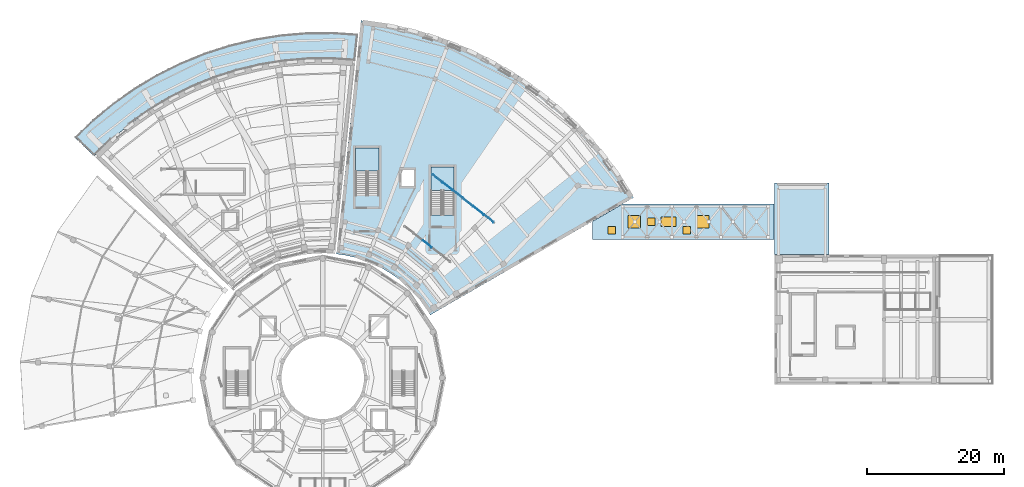
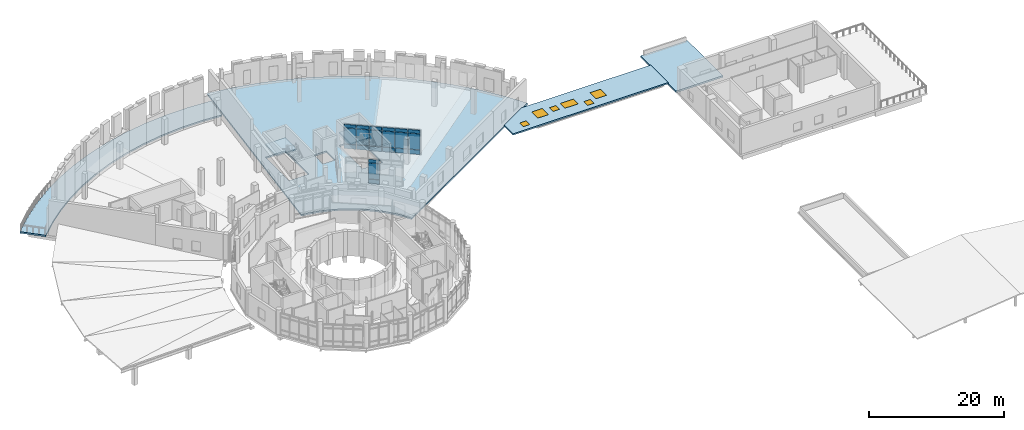
# One storey, part 26 of 49: 21 plates, 6 slabs, 3 doors, 3 windows, 6 openings, 4 elements without a shape of their own.
"""IFC4 building model written with IfcOpenShell, lengths in metres."""

from ifc_helpers import new_model, si_unit, direction, frame, origin, origin_2d, place, context, subcontext, project, spatial, polyline, rectangle, outline, extrude, material, layer, layer_set, type_object, element, fill, aggregate, save


model = new_model("IFC4")

# Units and contexts
model_context = context("Model", 3, precision=1e-05, world=origin(), true_north=direction((0.0, 1.0)))
body_context = subcontext(model_context, "Body", "Model", "MODEL_VIEW")
ifc_project = project(units=[si_unit("LENGTHUNIT", "METRE"), si_unit("AREAUNIT", "SQUARE_METRE"), si_unit("VOLUMEUNIT", "CUBIC_METRE"), si_unit("PLANEANGLEUNIT", "RADIAN"), si_unit("MASSUNIT", "GRAM", prefix="KILO")], contexts=[model_context])

# Site, building, storey
site_placement = place(None, origin())
site = spatial("IfcSite", under=ifc_project, at=site_placement, CompositionType="ELEMENT")
building_placement = place(site_placement, origin())
building = spatial("IfcBuilding", under=site, at=building_placement, Name="Soyqirgoq Riverine Aquarium", CompositionType="ELEMENT")
storey_placement = place(building_placement, frame((0.0, 0.0, 15.0)))
storey = spatial("IfcBuildingStorey", under=building, at=storey_placement, Name="L04", CompositionType="ELEMENT", Elevation=15.0)

# Curtain wall, plates
ifc_material_1 = material(Name="Cast polymethyl methacrylate PMMA Habitat Viewing Glazing", Category="glass")
curtain_wall_type = type_object("IfcCurtainWallType", Name="CW_Interior_TankVitrine", PredefinedType="NOTDEFINED", material=ifc_material_1)
curtain_wall_1_placement = place(storey_placement, origin())
curtain_wall_1 = element("IfcCurtainWall", 1, at=curtain_wall_1_placement, inside=storey, type_object=curtain_wall_type, Name="V5 L04 Curtain Wall 163", PredefinedType="NOTDEFINED")
ifc_material_2 = material(Name="Cast polymethyl methacrylate PMMA", Category="glass")
ifc_layer_1 = layer(ifc_material_2, 0.1201171875)
ifc_layer_set_1 = layer_set([ifc_layer_1], Name="Cast polymethyl methacrylate PMMA")
plate_type = type_object("IfcPlateType", Name="CWAcrylicPanel_120", PredefinedType="CURTAIN_PANEL", material=ifc_layer_set_1)
plate_1_placement = place(storey_placement, frame((71.279052734375, 76.55615234375, 0.074951171875), z_axis=(0.0, 0.0, 1.0), x_axis=(-0.788011077449, 0.615661060826, 0.0)))
plate_1 = element("IfcPlate", 2, at=plate_1_placement, type_object=plate_type, Name="CW-07 panel 3.1", PredefinedType="CURTAIN_PANEL", context=body_context, shape_type="SweptSolid", body=[
    extrude(rectangle(XDim=1.63037109375, YDim=0.1201171875, at=origin_2d()), origin(), (0.0, 0.0, 1.0), 0.78759765625),
])
plate_2_placement = place(storey_placement, frame((71.279052734375, 76.55615234375, 0.9375), z_axis=(0.0, 0.0, 1.0), x_axis=(-0.788011077449, 0.615661060826, 0.0)))
plate_2 = element("IfcPlate", 3, at=plate_2_placement, type_object=plate_type, Name="CW-07 panel 3.2", PredefinedType="CURTAIN_PANEL", context=body_context, shape_type="SweptSolid", body=[
    extrude(rectangle(XDim=1.63037109375, YDim=0.1201171875, at=origin_2d()), origin(), (0.0, 0.0, 1.0), 2.844970703125),
])
plate_3_placement = place(storey_placement, frame((71.279052734375, 76.55615234375, 3.857666015625), z_axis=(0.0, 0.0, 1.0), x_axis=(-0.788011077449, 0.615661060826, 0.0)))
plate_3 = element("IfcPlate", 4, at=plate_3_placement, type_object=plate_type, Name="CW-07 panel 3.3", PredefinedType="CURTAIN_PANEL", context=body_context, shape_type="SweptSolid", body=[
    extrude(rectangle(XDim=1.63037109375, YDim=0.1201171875, at=origin_2d()), origin(), (0.0, 0.0, 1.0), 0.58740234375),
])
aggregate(curtain_wall_1, [plate_1, plate_2, plate_3])

curtain_wall_2_placement = place(storey_placement, origin())
curtain_wall_2 = element("IfcCurtainWall", 5, at=curtain_wall_2_placement, inside=storey, type_object=curtain_wall_type, Name="V5 L04 Curtain Wall 164", PredefinedType="NOTDEFINED")
plate_4_placement = place(storey_placement, frame((80.26611328125, 80.282470703125, 0.074951171875), z_axis=(0.0, 0.0, 1.0), x_axis=(-0.788015701833, 0.615655141832, 0.0)))
plate_4 = element("IfcPlate", 6, at=plate_4_placement, type_object=plate_type, Name="CW-07 panel 1.1", PredefinedType="CURTAIN_PANEL", context=body_context, shape_type="SweptSolid", body=[
    extrude(rectangle(XDim=1.802978515625, YDim=0.1201171875, at=origin_2d()), origin(), (0.0, 0.0, 1.0), 0.78759765625),
])
plate_5_placement = place(storey_placement, frame((80.26611328125, 80.282470703125, 0.9375), z_axis=(0.0, 0.0, 1.0), x_axis=(-0.788015701833, 0.615655141832, 0.0)))
plate_5 = element("IfcPlate", 7, at=plate_5_placement, type_object=plate_type, Name="CW-07 panel 1.2", PredefinedType="CURTAIN_PANEL", context=body_context, shape_type="SweptSolid", body=[
    extrude(rectangle(XDim=1.802978515625, YDim=0.1201171875, at=origin_2d()), origin(), (0.0, 0.0, 1.0), 2.844970703125),
])
plate_6_placement = place(storey_placement, frame((80.26611328125, 80.282470703125, 3.857666015625), z_axis=(0.0, 0.0, 1.0), x_axis=(-0.788015701833, 0.615655141832, 0.0)))
plate_6 = element("IfcPlate", 8, at=plate_6_placement, type_object=plate_type, Name="CW-07 panel 1.3", PredefinedType="CURTAIN_PANEL", context=body_context, shape_type="SweptSolid", body=[
    extrude(rectangle(XDim=1.802978515625, YDim=0.1201171875, at=origin_2d()), origin(), (0.0, 0.0, 1.0), 0.58740234375),
])
plate_7_placement = place(storey_placement, frame((78.766357421875, 81.4541015625, 0.074951171875), z_axis=(0.0, 0.0, 1.0), x_axis=(-0.788015701833, 0.615655141832, 0.0)))
plate_7 = element("IfcPlate", 9, at=plate_7_placement, type_object=plate_type, Name="CW-07 panel 2.1", PredefinedType="CURTAIN_PANEL", context=body_context, shape_type="SweptSolid", body=[
    extrude(rectangle(XDim=1.843017578125, YDim=0.1201171875, at=origin_2d()), origin(), (0.0, 0.0, 1.0), 0.78759765625),
])
plate_8_placement = place(storey_placement, frame((78.766357421875, 81.4541015625, 0.9375), z_axis=(0.0, 0.0, 1.0), x_axis=(-0.788015701833, 0.615655141832, 0.0)))
plate_8 = element("IfcPlate", 10, at=plate_8_placement, type_object=plate_type, Name="CW-07 panel 2.2", PredefinedType="CURTAIN_PANEL", context=body_context, shape_type="SweptSolid", body=[
    extrude(rectangle(XDim=1.843017578125, YDim=0.1201171875, at=origin_2d()), origin(), (0.0, 0.0, 1.0), 2.844970703125),
])
plate_9_placement = place(storey_placement, frame((78.766357421875, 81.4541015625, 3.857666015625), z_axis=(0.0, 0.0, 1.0), x_axis=(-0.788015701833, 0.615655141832, 0.0)))
plate_9 = element("IfcPlate", 11, at=plate_9_placement, type_object=plate_type, Name="CW-07 panel 2.3", PredefinedType="CURTAIN_PANEL", context=body_context, shape_type="SweptSolid", body=[
    extrude(rectangle(XDim=1.843017578125, YDim=0.1201171875, at=origin_2d()), origin(), (0.0, 0.0, 1.0), 0.58740234375),
])
plate_10_placement = place(storey_placement, frame((77.2509765625, 82.63818359375, 0.074951171875), z_axis=(0.0, 0.0, 1.0), x_axis=(-0.788015701833, 0.615655141832, 0.0)))
plate_10 = element("IfcPlate", 12, at=plate_10_placement, type_object=plate_type, Name="CW-07 panel 3.1", PredefinedType="CURTAIN_PANEL", context=body_context, shape_type="SweptSolid", body=[
    extrude(rectangle(XDim=1.843017578125, YDim=0.1201171875, at=origin_2d()), origin(), (0.0, 0.0, 1.0), 0.78759765625),
])
plate_11_placement = place(storey_placement, frame((77.2509765625, 82.63818359375, 0.9375), z_axis=(0.0, 0.0, 1.0), x_axis=(-0.788015701833, 0.615655141832, 0.0)))
plate_11 = element("IfcPlate", 13, at=plate_11_placement, type_object=plate_type, Name="CW-07 panel 3.2", PredefinedType="CURTAIN_PANEL", context=body_context, shape_type="SweptSolid", body=[
    extrude(rectangle(XDim=1.843017578125, YDim=0.1201171875, at=origin_2d()), origin(), (0.0, 0.0, 1.0), 2.844970703125),
])
plate_12_placement = place(storey_placement, frame((77.2509765625, 82.63818359375, 3.857666015625), z_axis=(0.0, 0.0, 1.0), x_axis=(-0.788015701833, 0.615655141832, 0.0)))
plate_12 = element("IfcPlate", 14, at=plate_12_placement, type_object=plate_type, Name="CW-07 panel 3.3", PredefinedType="CURTAIN_PANEL", context=body_context, shape_type="SweptSolid", body=[
    extrude(rectangle(XDim=1.843017578125, YDim=0.1201171875, at=origin_2d()), origin(), (0.0, 0.0, 1.0), 0.58740234375),
])
plate_13_placement = place(storey_placement, frame((75.735595703125, 83.822021484375, 0.074951171875), z_axis=(0.0, 0.0, 1.0), x_axis=(-0.788015701833, 0.615655141832, 0.0)))
plate_13 = element("IfcPlate", 15, at=plate_13_placement, type_object=plate_type, Name="CW-07 panel 4.1", PredefinedType="CURTAIN_PANEL", context=body_context, shape_type="SweptSolid", body=[
    extrude(rectangle(XDim=1.843017578125, YDim=0.1201171875, at=origin_2d()), origin(), (0.0, 0.0, 1.0), 0.78759765625),
])
plate_14_placement = place(storey_placement, frame((75.735595703125, 83.822021484375, 0.9375), z_axis=(0.0, 0.0, 1.0), x_axis=(-0.788015701833, 0.615655141832, 0.0)))
plate_14 = element("IfcPlate", 16, at=plate_14_placement, type_object=plate_type, Name="CW-07 panel 4.2", PredefinedType="CURTAIN_PANEL", context=body_context, shape_type="SweptSolid", body=[
    extrude(rectangle(XDim=1.843017578125, YDim=0.1201171875, at=origin_2d()), origin(), (0.0, 0.0, 1.0), 2.844970703125),
])
plate_15_placement = place(storey_placement, frame((75.735595703125, 83.822021484375, 3.857666015625), z_axis=(0.0, 0.0, 1.0), x_axis=(-0.788015701833, 0.615655141832, 0.0)))
plate_15 = element("IfcPlate", 17, at=plate_15_placement, type_object=plate_type, Name="CW-07 panel 4.3", PredefinedType="CURTAIN_PANEL", context=body_context, shape_type="SweptSolid", body=[
    extrude(rectangle(XDim=1.843017578125, YDim=0.1201171875, at=origin_2d()), origin(), (0.0, 0.0, 1.0), 0.58740234375),
])
plate_16_placement = place(storey_placement, frame((74.219970703125, 85.006103515625, 0.074951171875), z_axis=(0.0, 0.0, 1.0), x_axis=(-0.788015701833, 0.615655141832, 0.0)))
plate_16 = element("IfcPlate", 18, at=plate_16_placement, type_object=plate_type, Name="CW-07 panel 5.1", PredefinedType="CURTAIN_PANEL", context=body_context, shape_type="SweptSolid", body=[
    extrude(rectangle(XDim=1.843017578125, YDim=0.1201171875, at=origin_2d()), origin(), (0.0, 0.0, 1.0), 0.78759765625),
])
plate_17_placement = place(storey_placement, frame((74.219970703125, 85.006103515625, 0.9375), z_axis=(0.0, 0.0, 1.0), x_axis=(-0.788015701833, 0.615655141832, 0.0)))
plate_17 = element("IfcPlate", 19, at=plate_17_placement, type_object=plate_type, Name="CW-07 panel 5.2", PredefinedType="CURTAIN_PANEL", context=body_context, shape_type="SweptSolid", body=[
    extrude(rectangle(XDim=1.843017578125, YDim=0.1201171875, at=origin_2d()), origin(), (0.0, 0.0, 1.0), 2.844970703125),
])
plate_18_placement = place(storey_placement, frame((74.219970703125, 85.006103515625, 3.857666015625), z_axis=(0.0, 0.0, 1.0), x_axis=(-0.788015701833, 0.615655141832, 0.0)))
plate_18 = element("IfcPlate", 20, at=plate_18_placement, type_object=plate_type, Name="CW-07 panel 5.3", PredefinedType="CURTAIN_PANEL", context=body_context, shape_type="SweptSolid", body=[
    extrude(rectangle(XDim=1.843017578125, YDim=0.1201171875, at=origin_2d()), origin(), (0.0, 0.0, 1.0), 0.58740234375),
])
plate_19_placement = place(storey_placement, frame((72.720458984375, 86.177734375, 0.074951171875), z_axis=(0.0, 0.0, 1.0), x_axis=(-0.788015701833, 0.615655141832, 0.0)))
plate_19 = element("IfcPlate", 21, at=plate_19_placement, type_object=plate_type, Name="CW-07 panel 6.1", PredefinedType="CURTAIN_PANEL", context=body_context, shape_type="SweptSolid", body=[
    extrude(rectangle(XDim=1.802978515625, YDim=0.1201171875, at=origin_2d()), origin(), (0.0, 0.0, 1.0), 0.78759765625),
])
plate_20_placement = place(storey_placement, frame((72.720458984375, 86.177734375, 0.9375), z_axis=(0.0, 0.0, 1.0), x_axis=(-0.788015701833, 0.615655141832, 0.0)))
plate_20 = element("IfcPlate", 22, at=plate_20_placement, type_object=plate_type, Name="CW-07 panel 6.2", PredefinedType="CURTAIN_PANEL", context=body_context, shape_type="SweptSolid", body=[
    extrude(rectangle(XDim=1.802978515625, YDim=0.1201171875, at=origin_2d()), origin(), (0.0, 0.0, 1.0), 2.844970703125),
])
plate_21_placement = place(storey_placement, frame((72.720458984375, 86.177734375, 3.857666015625), z_axis=(0.0, 0.0, 1.0), x_axis=(-0.788015701833, 0.615655141832, 0.0)))
plate_21 = element("IfcPlate", 23, at=plate_21_placement, type_object=plate_type, Name="CW-07 panel 6.3", PredefinedType="CURTAIN_PANEL", context=body_context, shape_type="SweptSolid", body=[
    extrude(rectangle(XDim=1.802978515625, YDim=0.1201171875, at=origin_2d()), origin(), (0.0, 0.0, 1.0), 0.58740234375),
])
aggregate(curtain_wall_2, [plate_4, plate_5, plate_6, plate_7, plate_8, plate_9, plate_10, plate_11, plate_12, plate_13, plate_14, plate_15, plate_16, plate_17, plate_18, plate_19, plate_20, plate_21])

# Stair, slab
ifc_material_3 = material(Name="Concrete C35/45", Category="concrete")
stair_type = type_object("IfcStairType", Name="CoreDoglegStair_RC", PredefinedType="HALF_TURN_STAIR", material=ifc_material_3)
stair_1_placement = place(storey_placement, origin())
stair_1 = element("IfcStair", 24, at=stair_1_placement, inside=storey, type_object=stair_type, Name="L04 Enclosed Exit Stair ST-5", PredefinedType="HALF_TURN_STAIR")
ifc_material_4 = material(Name="Concrete C35/45", Category="concrete")
ifc_layer_2 = layer(ifc_material_4, 0.199951171875)
ifc_layer_set_2 = layer_set([ifc_layer_2], Name="Concrete C35/45")
slab_type_1 = type_object("IfcSlabType", Name="CoreStairLanding_RC", PredefinedType="LANDING", material=ifc_layer_set_2)
slab_1_placement = place(storey_placement, frame((0.0, 0.0, 2.199951171875)))
slab_1 = element("IfcSlab", 25, at=slab_1_placement, type_object=slab_type_1, Name="ST-5 landing 1", PredefinedType="LANDING", context=body_context, shape_type="SweptSolid", body=[
    extrude(outline(polyline([(64.199951171875, 87.199951171875), (64.199951171875, 90.60009765625), (60.800048828125, 90.60009765625), (60.800048828125, 87.199951171875), (64.199951171875, 87.199951171875)])), origin(), (0.0, 0.0, 1.0), 0.199951171875),
])
aggregate(stair_1, [slab_1])

stair_2_placement = place(storey_placement, origin())
stair_2 = element("IfcStair", 26, at=stair_2_placement, inside=storey, type_object=stair_type, Name="L04 Enclosed Exit Stair ST-6", PredefinedType="HALF_TURN_STAIR")
slab_2_placement = place(storey_placement, frame((0.0, 0.0, 2.199951171875)))
slab_2 = element("IfcSlab", 27, at=slab_2_placement, type_object=slab_type_1, Name="ST-6 landing 1", PredefinedType="LANDING", context=body_context, shape_type="SweptSolid", body=[
    extrude(outline(polyline([(75.199951171875, 84.39990234375), (75.199951171875, 87.800048828125), (71.800048828125, 87.800048828125), (71.800048828125, 84.39990234375), (75.199951171875, 84.39990234375)])), origin(), (0.0, 0.0, 1.0), 0.199951171875),
])
aggregate(stair_2, [slab_2])

# Slab
ifc_material_5 = material(Name="Concrete C35/45", Category="concrete")
ifc_layer_3 = layer(ifc_material_5, 0.280029296875)
ifc_layer_set_3 = layer_set([ifc_layer_3], Name="Concrete C35/45")
slab_type_2 = type_object("IfcSlabType", Name="FloorSlab_280_C35", PredefinedType="FLOOR", material=ifc_layer_set_3)
slab_3_placement = place(storey_placement, frame((0.0, 0.0, -0.280029296875)))
element("IfcSlab", 28, at=slab_3_placement, inside=storey, type_object=slab_type_2, Name="V5 L04 Suspended Floor Slab", PredefinedType="FLOOR", context=body_context, shape_type="SweptSolid", body=[
    extrude(outline(polyline([(70.15966796875, 68.46630859375), (71.015625, 67.31982421875), (71.72021484375, 66.203125), (101.40771484375, 83.343017578125), (99.2666015625, 86.736328125), (96.80029296875, 90.039306640625), (94.082275390625, 93.138671875), (91.12939453125, 96.01513671875), (87.9599609375, 98.651123046875), (84.593505859375, 101.0302734375), (81.05078125, 103.137939453125), (77.353759765625, 104.961181640625), (73.52490234375, 106.48876953125), (69.587890625, 107.711181640625), (65.5673828125, 108.620849609375), (61.5966796875, 109.196533203125), (58.013427734375, 75.1044921875), (59.3203125, 74.914794921875), (60.7158203125, 74.59912109375), (62.08203125, 74.1748046875), (62.8837890625, 73.85498046875), (62.97412109375, 73.8369140625), (63.041259765625, 73.792236328125), (63.41064453125, 73.644775390625), (64.69384765625, 73.011962890625), (65.92333984375, 72.280517578125), (67.091552734375, 71.454833984375), (68.191650390625, 70.5400390625), (68.81005859375, 69.9375), (68.886474609375, 69.886474609375), (68.931396484375, 69.8193359375), (69.21630859375, 69.541748046875), (70.15966796875, 68.46630859375)]), holes=[polyline([(64.199951171875, 83.625), (64.199951171875, 90.60009765625), (60.800048828125, 90.60009765625), (60.800048828125, 83.625), (64.199951171875, 83.625)]), polyline([(67.35009765625, 84.89990234375), (69.449951171875, 84.89990234375), (69.449951171875, 87.5), (67.35009765625, 87.5), (67.35009765625, 84.89990234375)]), polyline([(75.199951171875, 80.824951171875), (75.199951171875, 87.800048828125), (71.800048828125, 87.800048828125), (71.800048828125, 80.824951171875), (75.199951171875, 80.824951171875)])]), origin(), (0.0, 0.0, 1.0), 0.280029296875),
])

# Slab, openings, doors, windows
ifc_material_6 = material(Name="Concrete C35/45", Category="concrete")
ifc_layer_4 = layer(ifc_material_6, 0.260009765625)
ifc_layer_set_4 = layer_set([ifc_layer_4], Name="Concrete C35/45")
slab_type_3 = type_object("IfcSlabType", Name="PrairieRoof_260_C35", PredefinedType="ROOF", material=ifc_layer_set_4)
slab_4_placement = place(storey_placement, origin())
slab_4 = element("IfcSlab", 29, at=slab_4_placement, inside=storey, type_object=slab_type_3, Name="North Riverine Passage Bridge BR-2 Roof Canopy Slab", PredefinedType="ROOF", context=body_context, shape_type="SweptSolid", body=[
    extrude(outline(polyline([(99.814208984375, 82.39990234375), (95.39990234375, 79.8515625), (95.39990234375, 77.199951171875), (121.949951171875, 77.199951171875), (121.949951171875, 82.39990234375), (99.814208984375, 82.39990234375)]), holes=[polyline([(100.60009765625, 78.89990234375), (100.60009765625, 80.699951171875), (102.39990234375, 80.699951171875), (102.39990234375, 78.89990234375), (100.60009765625, 78.89990234375)]), polyline([(105.39990234375, 79.10009765625), (105.39990234375, 80.5), (107.60009765625, 80.5), (107.60009765625, 79.10009765625), (105.39990234375, 79.10009765625)]), polyline([(110.60009765625, 78.89990234375), (110.60009765625, 80.699951171875), (112.39990234375, 80.699951171875), (112.39990234375, 78.89990234375), (110.60009765625, 78.89990234375)]), polyline([(97.64990234375, 78.050048828125), (97.64990234375, 79.14990234375), (98.75, 79.14990234375), (98.75, 78.050048828125), (97.64990234375, 78.050048828125)]), polyline([(108.64990234375, 78.050048828125), (108.64990234375, 79.14990234375), (109.75, 79.14990234375), (109.75, 78.050048828125), (108.64990234375, 78.050048828125)]), polyline([(103.449951171875, 79.25), (103.449951171875, 80.35009765625), (104.550048828125, 80.35009765625), (104.550048828125, 79.25), (103.449951171875, 79.25)])]), origin(), (0.0, 0.0, 1.0), 0.260009765625),
])
opening_1_placement = place(slab_4_placement, frame((101.5, 79.800048828125, 0.0)))
opening_1 = element("IfcOpeningElement", 30, at=opening_1_placement, cuts=slab_4, Name="Opening SK-01", PredefinedType="OPENING", context=body_context, shape_type="SweptSolid", body=[
    extrude(rectangle(XDim=1.800048828125, YDim=1.800048828125, at=origin_2d()), origin(), (0.0, 0.0, 1.0), 0.260009765625),
])
opening_2_placement = place(slab_4_placement, frame((106.5, 79.800048828125, 0.0)))
opening_2 = element("IfcOpeningElement", 31, at=opening_2_placement, cuts=slab_4, Name="Opening SK-02", PredefinedType="OPENING", context=body_context, shape_type="SweptSolid", body=[
    extrude(rectangle(XDim=2.199951171875, YDim=1.39990234375, at=origin_2d()), origin(), (0.0, 0.0, 1.0), 0.260009765625),
])
opening_3_placement = place(slab_4_placement, frame((111.5, 79.800048828125, 0.0)))
opening_3 = element("IfcOpeningElement", 32, at=opening_3_placement, cuts=slab_4, Name="Opening SK-01", PredefinedType="OPENING", context=body_context, shape_type="SweptSolid", body=[
    extrude(rectangle(XDim=1.800048828125, YDim=1.800048828125, at=origin_2d()), origin(), (0.0, 0.0, 1.0), 0.260009765625),
])
opening_4_placement = place(slab_4_placement, frame((98.199951171875, 78.60009765625, 0.0)))
opening_4 = element("IfcOpeningElement", 33, at=opening_4_placement, cuts=slab_4, Name="Opening RH-01", PredefinedType="OPENING", context=body_context, shape_type="SweptSolid", body=[
    extrude(rectangle(XDim=1.10009765625, YDim=1.10009765625, at=origin_2d()), origin(), (0.0, 0.0, 1.0), 0.260009765625),
])
opening_5_placement = place(slab_4_placement, frame((109.199951171875, 78.60009765625, 0.0)))
opening_5 = element("IfcOpeningElement", 34, at=opening_5_placement, cuts=slab_4, Name="Opening RH-01", PredefinedType="OPENING", context=body_context, shape_type="SweptSolid", body=[
    extrude(rectangle(XDim=1.10009765625, YDim=1.10009765625, at=origin_2d()), origin(), (0.0, 0.0, 1.0), 0.260009765625),
])
opening_6_placement = place(slab_4_placement, frame((104.0, 79.800048828125, 0.0)))
opening_6 = element("IfcOpeningElement", 35, at=opening_6_placement, cuts=slab_4, Name="Opening RH-01", PredefinedType="OPENING", context=body_context, shape_type="SweptSolid", body=[
    extrude(rectangle(XDim=1.10009765625, YDim=1.10009765625, at=origin_2d()), origin(), (0.0, 0.0, 1.0), 0.260009765625),
])
ifc_material_7 = material(Name="Insulated aluminium roof access hatch", Category="aluminium")
door_type = type_object("IfcDoorType", Name="RoofAccessHatch_1100x1100", OperationType="SINGLE_SWING_LEFT", PredefinedType="TRAPDOOR", material=ifc_material_7)
door_1_placement = place(opening_4_placement, frame((0.0, 0.0, 0.2099609375)))
door_1 = element("IfcDoor", 36, at=door_1_placement, inside=storey, type_object=door_type, Name="RH-L04-03 L04 Maintenance Roof Access Hatch 03", OperationType="SINGLE_SWING_LEFT", OverallHeight=1.10009765625, OverallWidth=1.10009765625, PredefinedType="TRAPDOOR", context=body_context, shape_type="SweptSolid", body=[
    extrude(rectangle(XDim=1.10009765625, YDim=1.10009765625, at=origin_2d()), origin(), (0.0, 0.0, 1.0), 0.050048828125),
])
fill(opening_4, door_1)
door_2_placement = place(opening_5_placement, frame((0.0, 0.0, 0.2099609375)))
door_2 = element("IfcDoor", 37, at=door_2_placement, inside=storey, type_object=door_type, Name="RH-L04-04 L04 Maintenance Roof Access Hatch 04", OperationType="SINGLE_SWING_LEFT", OverallHeight=1.10009765625, OverallWidth=1.10009765625, PredefinedType="TRAPDOOR", context=body_context, shape_type="SweptSolid", body=[
    extrude(rectangle(XDim=1.10009765625, YDim=1.10009765625, at=origin_2d()), origin(), (0.0, 0.0, 1.0), 0.050048828125),
])
fill(opening_5, door_2)
door_3_placement = place(opening_6_placement, frame((0.0, 0.0, 0.2099609375)))
door_3 = element("IfcDoor", 38, at=door_3_placement, inside=storey, type_object=door_type, Name="RH-BR2-L04-01 BR-2 L04 Bridge Roof Maintenance Access Hatch", OperationType="SINGLE_SWING_LEFT", OverallHeight=1.10009765625, OverallWidth=1.10009765625, PredefinedType="TRAPDOOR", context=body_context, shape_type="SweptSolid", body=[
    extrude(rectangle(XDim=1.10009765625, YDim=1.10009765625, at=origin_2d()), origin(), (0.0, 0.0, 1.0), 0.050048828125),
])
fill(opening_6, door_3)
ifc_material_8 = material(Name="Thermally broken aluminium triple low-E window", Category="aluminium")
window_type_1 = type_object("IfcWindowType", Name="Skylight_1800x1800", PartitioningType="SINGLE_PANEL", PredefinedType="SKYLIGHT", material=ifc_material_8)
window_1_placement = place(opening_1_placement, frame((0.0, 0.0, 0.2099609375)))
window_1 = element("IfcWindow", 39, at=window_1_placement, inside=storey, type_object=window_type_1, Name="L04 Concourse Roof Skylight 04", OverallHeight=1.800048828125, OverallWidth=1.800048828125, PartitioningType="SINGLE_PANEL", PredefinedType="SKYLIGHT", context=body_context, shape_type="SweptSolid", body=[
    extrude(rectangle(XDim=1.800048828125, YDim=1.800048828125, at=origin_2d()), origin(), (0.0, 0.0, 1.0), 0.050048828125),
])
fill(opening_1, window_1)
window_2_placement = place(opening_3_placement, frame((0.0, 0.0, 0.2099609375)))
window_2 = element("IfcWindow", 40, at=window_2_placement, inside=storey, type_object=window_type_1, Name="L04 Concourse Roof Skylight 06", OverallHeight=1.800048828125, OverallWidth=1.800048828125, PartitioningType="SINGLE_PANEL", PredefinedType="SKYLIGHT", context=body_context, shape_type="SweptSolid", body=[
    extrude(rectangle(XDim=1.800048828125, YDim=1.800048828125, at=origin_2d()), origin(), (0.0, 0.0, 1.0), 0.050048828125),
])
fill(opening_3, window_2)
ifc_material_9 = material(Name="Thermally broken aluminium triple low-E window", Category="aluminium")
window_type_2 = type_object("IfcWindowType", Name="Skylight_2200x1400", PartitioningType="SINGLE_PANEL", PredefinedType="SKYLIGHT", material=ifc_material_9)
window_3_placement = place(opening_2_placement, frame((0.0, 0.0, 0.2099609375)))
window_3 = element("IfcWindow", 41, at=window_3_placement, inside=storey, type_object=window_type_2, Name="L04 Concourse Roof Skylight 05", OverallHeight=1.39990234375, OverallWidth=2.199951171875, PartitioningType="SINGLE_PANEL", PredefinedType="SKYLIGHT", context=body_context, shape_type="SweptSolid", body=[
    extrude(rectangle(XDim=2.199951171875, YDim=1.39990234375, at=origin_2d()), origin(), (0.0, 0.0, 1.0), 0.050048828125),
])
fill(opening_2, window_3)

# Slabs
ifc_material_10 = material(Name="Concrete C35/45", Category="concrete")
ifc_layer_5 = layer(ifc_material_10, 0.35009765625)
ifc_layer_set_5 = layer_set([ifc_layer_5], Name="Concrete C35/45")
slab_type_4 = type_object("IfcSlabType", Name="StepRoof_350_C35", PredefinedType="ROOF", material=ifc_layer_set_5)
slab_5_placement = place(storey_placement, frame((0.0, 0.0, -0.300048828125)))
element("IfcSlab", 42, at=slab_5_placement, inside=storey, type_object=slab_type_4, Name="V7 North Wing Flat Roof Deck", PredefinedType="ROOF", context=body_context, shape_type="SweptSolid", body=[
    extrude(outline(polyline([(122.0, 75.0), (130.0, 75.0), (130.0, 85.5), (122.0, 85.5), (122.0, 75.0)])), origin(), (0.0, 0.0, 1.0), 0.300048828125),
])
ifc_material_11 = material(Name="Concrete C40/50", Category="concrete")
ifc_layer_6 = layer(ifc_material_11, 0.280029296875)
ifc_layer_set_6 = layer_set([ifc_layer_6], Name="Concrete C40/50")
slab_type_5 = type_object("IfcSlabType", Name="TerraceSlab_280_C40", PredefinedType="FLOOR", material=ifc_layer_set_6)
slab_6_placement = place(storey_placement, frame((0.0, 0.0, -0.280029296875)))
element("IfcSlab", 43, at=slab_6_placement, inside=storey, type_object=slab_type_5, Name="V4 L04 Planted Roof Garden Terrace Slab", PredefinedType="FLOOR", context=body_context, shape_type="SweptSolid", body=[
    extrude(outline(polyline([(53.834228515625, 103.49951171875), (57.35400390625, 103.5302734375), (60.756103515625, 103.302490234375), (61.1689453125, 107.230712890625), (57.46875, 107.478515625), (53.650390625, 107.4453125), (49.845703125, 107.12353515625), (46.075927734375, 106.515380859375), (42.363037109375, 105.623779296875), (38.72802734375, 104.45458984375), (35.19189453125, 103.013916015625), (31.7744140625, 101.31005859375), (28.49560546875, 99.352783203125), (25.374267578125, 97.153564453125), (22.427734375, 94.724853515625), (19.752685546875, 92.156494140625), (22.593994140625, 89.41259765625), (25.0537109375, 91.77392578125), (27.769775390625, 94.012939453125), (30.647216796875, 96.0400390625), (33.66943359375, 97.84423828125), (36.8193359375, 99.414794921875), (40.0791015625, 100.74267578125), (43.4296875, 101.820556640625), (46.852294921875, 102.642333984375), (50.326904296875, 103.202880859375), (53.834228515625, 103.49951171875)])), origin(), (0.0, 0.0, 1.0), 0.280029296875),
])

save(model, "model.ifc")
